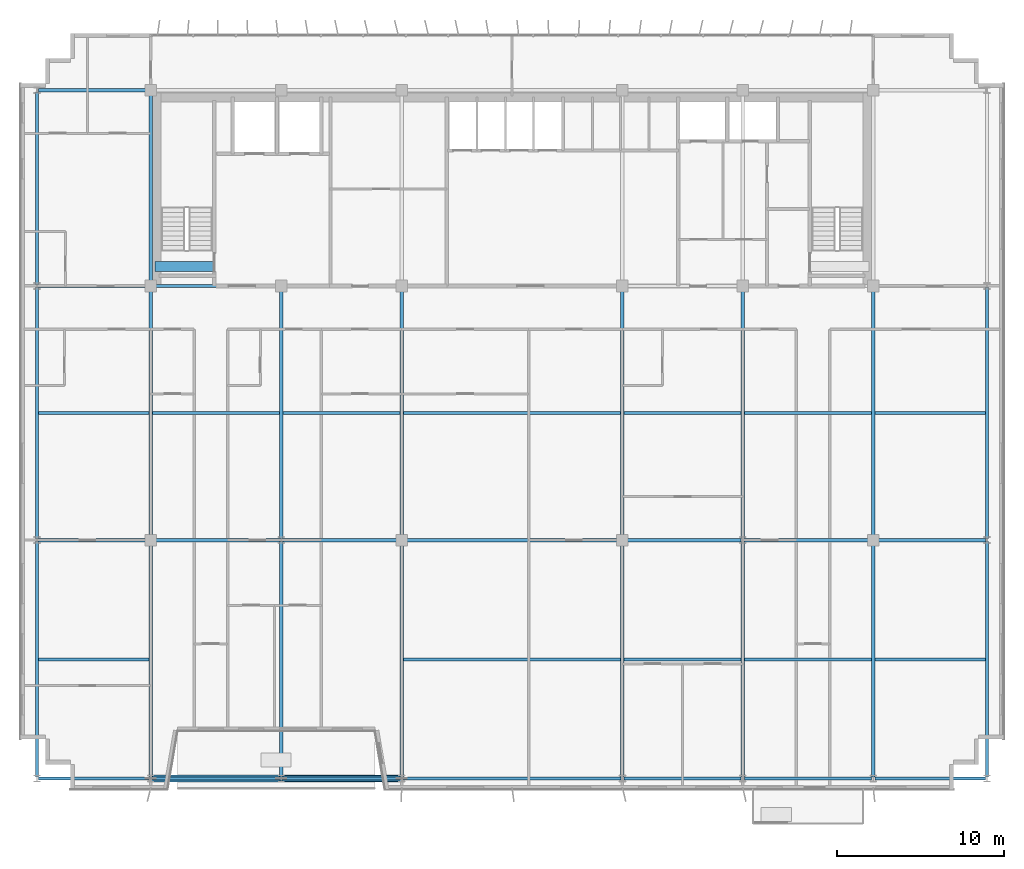
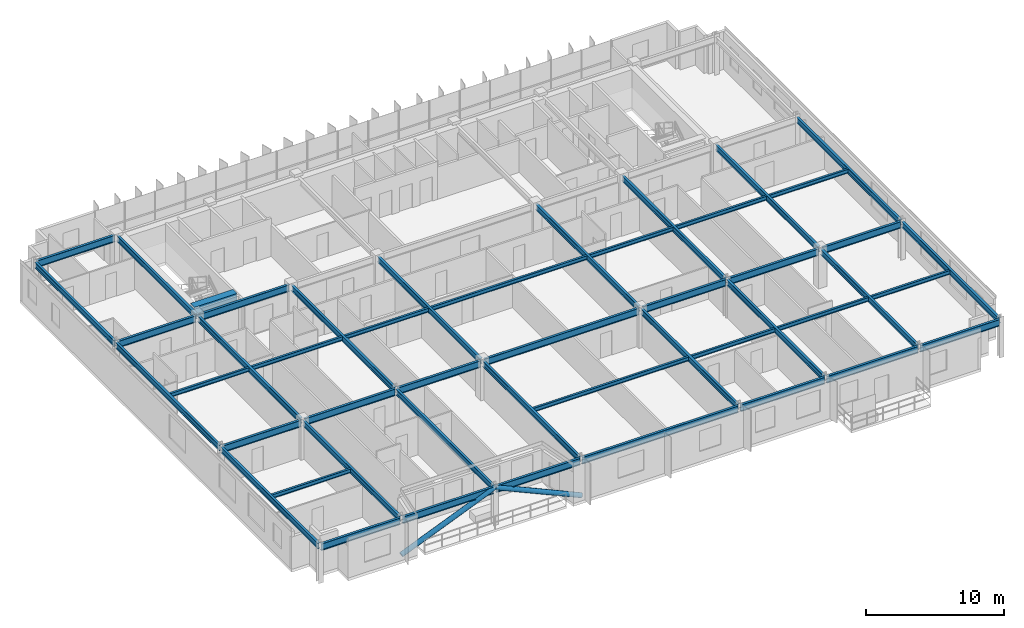
# One storey, part 3 of 20: 48 beams, 2 members.
"""IFC4 building model written with IfcOpenShell, lengths in metres."""

from ifc_helpers import new_model, si_unit, direction, frame, origin, origin_2d, place, context, subcontext, project, spatial, rectangle, hollow_circle, i_section, extrude, source, transform, mapped, material, material_profile, profile_set, type_object, element, save


model = new_model("IFC4")

# Units and contexts
model_context = context("Model", 3, precision=1e-05, world=origin(), true_north=direction((0.0, 1.0)))
body_context = subcontext(model_context, "Body", "Model", "MODEL_VIEW")
ifc_project = project(units=[si_unit("LENGTHUNIT", "METRE"), si_unit("AREAUNIT", "SQUARE_METRE"), si_unit("VOLUMEUNIT", "CUBIC_METRE"), si_unit("PLANEANGLEUNIT", "RADIAN"), si_unit("MASSUNIT", "GRAM", prefix="KILO")], contexts=[model_context])

# Site, building, storey
site_placement = place(None, origin())
site = spatial("IfcSite", under=ifc_project, at=site_placement, CompositionType="ELEMENT")
building_placement = place(site_placement, origin())
building = spatial("IfcBuilding", under=site, at=building_placement, Name="Trelvane Seafront Commons", CompositionType="ELEMENT")
storey_placement = place(building_placement, frame((0.0, 0.0, 171.699951171875)))
storey = spatial("IfcBuildingStorey", under=building, at=storey_placement, Name="L45", CompositionType="ELEMENT", Elevation=171.699951171875)

# Beams
ifc_material_1 = material(Name="Concrete C60/75", Category="concrete")
ifc_material_profile_1 = material_profile(ifc_material_1, rectangle(XDim=0.60009765625, YDim=0.89990234375, at=origin_2d()), Name="RC-600x900")
ifc_profile_set_1 = profile_set([ifc_material_profile_1], Name="Concrete C60/75")
beam_type_1 = type_object("IfcBeamType", Name="STR-LNT-RC600x900", PredefinedType="LINTEL", material=ifc_profile_set_1)
shared_shape_1 = source(origin(), body_context, "Body", "SweptSolid", [
    extrude(rectangle(XDim=0.60009765625, YDim=0.89990234375, at=origin_2d()), origin(), (0.0, 0.0, 1.0), 3.5498046875),
])
beam_1_placement = place(storey_placement, frame((15.85009765625, 34.550048828125, 2.900146484375), z_axis=(1.0, 0.0, 0.0), x_axis=(0.0, 1.0, 0.0)))
element("IfcBeam", 1, at=beam_1_placement, inside=storey, type_object=beam_type_1, Name="L45 Core Coupling Lintel Beam CB-65", PredefinedType="LINTEL", context=body_context, shape_type="MappedRepresentation", body=[
    mapped(shared_shape_1, transform((0.0, 0.0, 0.0), x_axis=(1.0, 0.0, 0.0), y_axis=(0.0, 1.0, 0.0), z_axis=(0.0, 0.0, 1.0), scale=1.0)),
])
ifc_material_2 = material(Name="Steel SM355 (S355)", Category="steel")
ifc_material_profile_2 = material_profile(ifc_material_2, i_section(OverallWidth=0.199951171875, OverallDepth=0.5, WebThickness=0.010009765625, FlangeThickness=0.01611328125, at=origin_2d()), Name="H-500x200x10x16")
ifc_profile_set_2 = profile_set([ifc_material_profile_2], Name="Steel SM355 (S355)")
beam_type_2 = type_object("IfcBeamType", Name="STR-BM-H500", PredefinedType="BEAM", material=ifc_profile_set_2)
shared_shape_2 = source(origin(), body_context, "Body", "SweptSolid", [
    extrude(i_section(OverallWidth=0.199951171875, OverallDepth=0.5, WebThickness=0.010009765625, FlangeThickness=0.01611328125, at=origin_2d()), origin(), (0.0, 0.0, 1.0), 14.89990234375),
])
for number, where, z_axis, x_axis, name in (
    (2, (15.60009765625, 18.35009765625, 3.10009765625), (0.0, 1.0, 0.0), (-1.0, 0.0, 0.0), "L45 Primary Girder G-33"),
    (3, (30.60009765625, 18.35009765625, 3.10009765625), (0.0, 1.0, 0.0), (-1.0, 0.0, 0.0), "L45 Primary Girder G-39"),
    (4, (43.800048828125, 18.35009765625, 3.10009765625), (0.0, 1.0, 0.0), (-1.0, 0.0, 0.0), "L45 Primary Girder G-42"),
    (5, (58.800048828125, 18.35009765625, 3.10009765625), (0.0, 1.0, 0.0), (-1.0, 0.0, 0.0), "L45 Primary Girder G-48"),
):
    element("IfcBeam", number, at=place(storey_placement, frame(where, z_axis=z_axis, x_axis=x_axis)), inside=storey, type_object=beam_type_2, Name=name, PredefinedType="BEAM", context=body_context, shape_type="MappedRepresentation", body=[
        mapped(shared_shape_2, transform((0.0, 0.0, 0.0), x_axis=(1.0, 0.0, 0.0), y_axis=(0.0, 1.0, 0.0), z_axis=(0.0, 0.0, 1.0), scale=1.0)),
    ])
shared_shape_3 = source(origin(), body_context, "Body", "SweptSolid", [
    extrude(i_section(OverallWidth=0.199951171875, OverallDepth=0.5, WebThickness=0.010009765625, FlangeThickness=0.01611328125, at=origin_2d()), origin(), (0.0, 0.0, 1.0), 11.39990234375),
])
beam_2_placement = place(storey_placement, frame((15.60009765625, 33.550048828125, 3.10009765625), z_axis=(0.0, 1.0, 0.0), x_axis=(-1.0, 0.0, 0.0)))
element("IfcBeam", 6, at=beam_2_placement, inside=storey, type_object=beam_type_2, Name="L45 Primary Girder G-34", PredefinedType="BEAM", context=body_context, shape_type="MappedRepresentation", body=[
    mapped(shared_shape_3, transform((0.0, 0.0, 0.0), x_axis=(1.0, 0.0, 0.0), y_axis=(0.0, 1.0, 0.0), z_axis=(0.0, 0.0, 1.0), scale=1.0)),
])
ifc_material_profile_3 = material_profile(ifc_material_2, i_section(OverallWidth=0.175048828125, OverallDepth=0.35009765625, WebThickness=0.007080078125, FlangeThickness=0.010986328125, at=origin_2d()), Name="H-350x175x7x11")
ifc_profile_set_3 = profile_set([ifc_material_profile_3], Name="Steel SM355 (S355)")
beam_type_3 = type_object("IfcBeamType", Name="STR-JST-H350", PredefinedType="JOIST", material=ifc_profile_set_3)
shared_shape_4 = source(origin(), body_context, "Body", "SweptSolid", [
    extrude(i_section(OverallWidth=0.175048828125, OverallDepth=0.35009765625, WebThickness=0.007080078125, FlangeThickness=0.010986328125, at=origin_2d()), origin(), (0.0, 0.0, 1.0), 6.60009765625),
])
for number, where, z_axis, x_axis, name in (
    (7, (8.89990234375, 11.074951171875, 3.175048828125), (1.0, 0.0, 0.0), (0.0, 1.0, 0.0), "L45 Secondary Floor Joist B-53"),
    (8, (58.89990234375, 11.074951171875, 3.175048828125), (1.0, 0.0, 0.0), (0.0, 1.0, 0.0), "L45 Secondary Floor Joist B-57"),
    (9, (8.89990234375, 25.800048828125, 3.175048828125), (1.0, 0.0, 0.0), (0.0, 1.0, 0.0), "L45 Secondary Floor Joist B-58"),
    (10, (58.89990234375, 25.800048828125, 3.175048828125), (1.0, 0.0, 0.0), (0.0, 1.0, 0.0), "L45 Secondary Floor Joist B-64"),
):
    element("IfcBeam", number, at=place(storey_placement, frame(where, z_axis=z_axis, x_axis=x_axis)), inside=storey, type_object=beam_type_3, Name=name, PredefinedType="JOIST", context=body_context, shape_type="MappedRepresentation", body=[
        mapped(shared_shape_4, transform((0.0, 0.0, 0.0), x_axis=(1.0, 0.0, 0.0), y_axis=(0.0, 1.0, 0.0), z_axis=(0.0, 0.0, 1.0), scale=1.0)),
    ])
shared_shape_5 = source(origin(), body_context, "Body", "SweptSolid", [
    extrude(i_section(OverallWidth=0.175048828125, OverallDepth=0.35009765625, WebThickness=0.007080078125, FlangeThickness=0.010986328125, at=origin_2d()), origin(), (0.0, 0.0, 1.0), 7.60009765625),
])
beam_3_placement = place(storey_placement, frame((15.699951171875, 25.800048828125, 3.175048828125), z_axis=(1.0, 0.0, 0.0), x_axis=(0.0, 1.0, 0.0)))
element("IfcBeam", 11, at=beam_3_placement, inside=storey, type_object=beam_type_3, Name="L45 Secondary Floor Joist B-59", PredefinedType="JOIST", context=body_context, shape_type="MappedRepresentation", body=[
    mapped(shared_shape_5, transform((0.0, 0.0, 0.0), x_axis=(1.0, 0.0, 0.0), y_axis=(0.0, 1.0, 0.0), z_axis=(0.0, 0.0, 1.0), scale=1.0)),
])
shared_shape_6 = source(origin(), body_context, "Body", "SweptSolid", [
    extrude(i_section(OverallWidth=0.175048828125, OverallDepth=0.35009765625, WebThickness=0.007080078125, FlangeThickness=0.010986328125, at=origin_2d()), origin(), (0.0, 0.0, 1.0), 7.0),
])
for number, where, z_axis, x_axis, name in (
    (12, (43.89990234375, 11.074951171875, 3.175048828125), (1.0, 0.0, 0.0), (0.0, 1.0, 0.0), "L45 Secondary Floor Joist B-55"),
    (13, (23.5, 25.800048828125, 3.175048828125), (1.0, 0.0, 0.0), (0.0, 1.0, 0.0), "L45 Secondary Floor Joist B-60"),
    (14, (43.89990234375, 25.800048828125, 3.175048828125), (1.0, 0.0, 0.0), (0.0, 1.0, 0.0), "L45 Secondary Floor Joist B-62"),
):
    element("IfcBeam", number, at=place(storey_placement, frame(where, z_axis=z_axis, x_axis=x_axis)), inside=storey, type_object=beam_type_3, Name=name, PredefinedType="JOIST", context=body_context, shape_type="MappedRepresentation", body=[
        mapped(shared_shape_6, transform((0.0, 0.0, 0.0), x_axis=(1.0, 0.0, 0.0), y_axis=(0.0, 1.0, 0.0), z_axis=(0.0, 0.0, 1.0), scale=1.0)),
    ])
shared_shape_7 = source(origin(), body_context, "Body", "SweptSolid", [
    extrude(i_section(OverallWidth=0.175048828125, OverallDepth=0.35009765625, WebThickness=0.007080078125, FlangeThickness=0.010986328125, at=origin_2d()), origin(), (0.0, 0.0, 1.0), 13.0),
])
for number, where, z_axis, x_axis, name in (
    (15, (30.699951171875, 11.074951171875, 3.175048828125), (1.0, 0.0, 0.0), (0.0, 1.0, 0.0), "L45 Secondary Floor Joist B-54"),
    (16, (30.699951171875, 25.800048828125, 3.175048828125), (1.0, 0.0, 0.0), (0.0, 1.0, 0.0), "L45 Secondary Floor Joist B-61"),
):
    element("IfcBeam", number, at=place(storey_placement, frame(where, z_axis=z_axis, x_axis=x_axis)), inside=storey, type_object=beam_type_3, Name=name, PredefinedType="JOIST", context=body_context, shape_type="MappedRepresentation", body=[
        mapped(shared_shape_7, transform((0.0, 0.0, 0.0), x_axis=(1.0, 0.0, 0.0), y_axis=(0.0, 1.0, 0.0), z_axis=(0.0, 0.0, 1.0), scale=1.0)),
    ])
shared_shape_8 = source(origin(), body_context, "Body", "SweptSolid", [
    extrude(i_section(OverallWidth=0.175048828125, OverallDepth=0.35009765625, WebThickness=0.007080078125, FlangeThickness=0.010986328125, at=origin_2d()), origin(), (0.0, 0.0, 1.0), 7.599853515625),
])
for number, where, z_axis, x_axis, name in (
    (17, (51.10009765625, 11.074951171875, 3.175048828125), (1.0, 0.0, 0.0), (0.0, 1.0, 0.0), "L45 Secondary Floor Joist B-56"),
    (18, (51.10009765625, 25.800048828125, 3.175048828125), (1.0, 0.0, 0.0), (0.0, 1.0, 0.0), "L45 Secondary Floor Joist B-63"),
):
    element("IfcBeam", number, at=place(storey_placement, frame(where, z_axis=z_axis, x_axis=x_axis)), inside=storey, type_object=beam_type_3, Name=name, PredefinedType="JOIST", context=body_context, shape_type="MappedRepresentation", body=[
        mapped(shared_shape_8, transform((0.0, 0.0, 0.0), x_axis=(1.0, 0.0, 0.0), y_axis=(0.0, 1.0, 0.0), z_axis=(0.0, 0.0, 1.0), scale=1.0)),
    ])
ifc_material_profile_4 = material_profile(ifc_material_2, i_section(OverallWidth=0.199951171875, OverallDepth=0.60009765625, WebThickness=0.010986328125, FlangeThickness=0.01708984375, at=origin_2d()), Name="H-600x200x11x17")
ifc_profile_set_4 = profile_set([ifc_material_profile_4], Name="Steel SM355 (S355)")
beam_type_4 = type_object("IfcBeamType", Name="STR-SPD-H600", PredefinedType="SPANDREL", material=ifc_profile_set_4)
shared_shape_9 = source(origin(), body_context, "Body", "SweptSolid", [
    extrude(i_section(OverallWidth=0.199951171875, OverallDepth=0.60009765625, WebThickness=0.010986328125, FlangeThickness=0.01708984375, at=origin_2d()), origin(), (0.0, 0.0, 1.0), 6.60986328125),
])
for number, where, z_axis, x_axis, name in (
    (19, (8.89501953125, 3.949951171875, 3.050048828125), (1.0, 0.0, 0.0), (0.0, 1.0, 0.0), "L45 Primary Girder G-01"),
    (20, (58.89501953125, 3.949951171875, 3.050048828125), (1.0, 0.0, 0.0), (0.0, 1.0, 0.0), "L45 Primary Girder G-07"),
):
    element("IfcBeam", number, at=place(storey_placement, frame(where, z_axis=z_axis, x_axis=x_axis)), inside=storey, type_object=beam_type_4, Name=name, PredefinedType="SPANDREL", context=body_context, shape_type="MappedRepresentation", body=[
        mapped(shared_shape_9, transform((0.0, 0.0, 0.0), x_axis=(1.0, 0.0, 0.0), y_axis=(0.0, 1.0, 0.0), z_axis=(0.0, 0.0, 1.0), scale=1.0)),
    ])
shared_shape_10 = source(origin(), body_context, "Body", "SweptSolid", [
    extrude(i_section(OverallWidth=0.199951171875, OverallDepth=0.60009765625, WebThickness=0.010986328125, FlangeThickness=0.01708984375, at=origin_2d()), origin(), (0.0, 0.0, 1.0), 7.60986328125),
])
beam_4_placement = place(storey_placement, frame((15.695068359375, 3.949951171875, 3.050048828125), z_axis=(1.0, 0.0, 0.0), x_axis=(0.0, 1.0, 0.0)))
element("IfcBeam", 21, at=beam_4_placement, inside=storey, type_object=beam_type_4, Name="L45 Primary Girder G-02", PredefinedType="SPANDREL", context=body_context, shape_type="MappedRepresentation", body=[
    mapped(shared_shape_10, transform((0.0, 0.0, 0.0), x_axis=(1.0, 0.0, 0.0), y_axis=(0.0, 1.0, 0.0), z_axis=(0.0, 0.0, 1.0), scale=1.0)),
])
shared_shape_11 = source(origin(), body_context, "Body", "SweptSolid", [
    extrude(i_section(OverallWidth=0.199951171875, OverallDepth=0.60009765625, WebThickness=0.010986328125, FlangeThickness=0.01708984375, at=origin_2d()), origin(), (0.0, 0.0, 1.0), 7.009765625),
])
beam_5_placement = place(storey_placement, frame((23.4951171875, 3.949951171875, 3.050048828125), z_axis=(1.0, 0.0, 0.0), x_axis=(0.0, 1.0, 0.0)))
element("IfcBeam", 22, at=beam_5_placement, inside=storey, type_object=beam_type_4, Name="L45 Primary Girder G-03", PredefinedType="SPANDREL", context=body_context, shape_type="MappedRepresentation", body=[
    mapped(shared_shape_11, transform((0.0, 0.0, 0.0), x_axis=(1.0, 0.0, 0.0), y_axis=(0.0, 1.0, 0.0), z_axis=(0.0, 0.0, 1.0), scale=1.0)),
])
shared_shape_12 = source(origin(), body_context, "Body", "SweptSolid", [
    extrude(i_section(OverallWidth=0.199951171875, OverallDepth=0.60009765625, WebThickness=0.010986328125, FlangeThickness=0.01708984375, at=origin_2d()), origin(), (0.0, 0.0, 1.0), 13.010009765625),
])
beam_6_placement = place(storey_placement, frame((30.695068359375, 3.949951171875, 3.050048828125), z_axis=(1.0, 0.0, 0.0), x_axis=(0.0, 1.0, 0.0)))
element("IfcBeam", 23, at=beam_6_placement, inside=storey, type_object=beam_type_4, Name="L45 Primary Girder G-04", PredefinedType="SPANDREL", context=body_context, shape_type="MappedRepresentation", body=[
    mapped(shared_shape_12, transform((0.0, 0.0, 0.0), x_axis=(1.0, 0.0, 0.0), y_axis=(0.0, 1.0, 0.0), z_axis=(0.0, 0.0, 1.0), scale=1.0)),
])
shared_shape_13 = source(origin(), body_context, "Body", "SweptSolid", [
    extrude(i_section(OverallWidth=0.199951171875, OverallDepth=0.60009765625, WebThickness=0.010986328125, FlangeThickness=0.01708984375, at=origin_2d()), origin(), (0.0, 0.0, 1.0), 7.010009765625),
])
beam_7_placement = place(storey_placement, frame((43.89501953125, 3.949951171875, 3.050048828125), z_axis=(1.0, 0.0, 0.0), x_axis=(0.0, 1.0, 0.0)))
element("IfcBeam", 24, at=beam_7_placement, inside=storey, type_object=beam_type_4, Name="L45 Primary Girder G-05", PredefinedType="SPANDREL", context=body_context, shape_type="MappedRepresentation", body=[
    mapped(shared_shape_13, transform((0.0, 0.0, 0.0), x_axis=(1.0, 0.0, 0.0), y_axis=(0.0, 1.0, 0.0), z_axis=(0.0, 0.0, 1.0), scale=1.0)),
])
shared_shape_14 = source(origin(), body_context, "Body", "SweptSolid", [
    extrude(i_section(OverallWidth=0.199951171875, OverallDepth=0.60009765625, WebThickness=0.010986328125, FlangeThickness=0.01708984375, at=origin_2d()), origin(), (0.0, 0.0, 1.0), 7.610107421875),
])
beam_8_placement = place(storey_placement, frame((51.094970703125, 3.949951171875, 3.050048828125), z_axis=(1.0, 0.0, 0.0), x_axis=(0.0, 1.0, 0.0)))
element("IfcBeam", 25, at=beam_8_placement, inside=storey, type_object=beam_type_4, Name="L45 Primary Girder G-06", PredefinedType="SPANDREL", context=body_context, shape_type="MappedRepresentation", body=[
    mapped(shared_shape_14, transform((0.0, 0.0, 0.0), x_axis=(1.0, 0.0, 0.0), y_axis=(0.0, 1.0, 0.0), z_axis=(0.0, 0.0, 1.0), scale=1.0)),
])
shared_shape_15 = source(origin(), body_context, "Body", "SweptSolid", [
    extrude(i_section(OverallWidth=0.199951171875, OverallDepth=0.60009765625, WebThickness=0.010986328125, FlangeThickness=0.01708984375, at=origin_2d()), origin(), (0.0, 0.0, 1.0), 6.554931640625),
])
for number, where, z_axis, x_axis, name in (
    (26, (8.89501953125, 18.199951171875, 3.050048828125), (1.0, 0.0, 0.0), (0.0, 1.0, 0.0), "L45 Primary Girder G-08"),
    (27, (58.949951171875, 18.199951171875, 3.050048828125), (1.0, 0.0, 0.0), (0.0, 1.0, 0.0), "L45 Primary Girder G-14"),
    (28, (8.89501953125, 33.39990234375, 3.050048828125), (1.0, 0.0, 0.0), (0.0, 1.0, 0.0), "L45 Primary Girder G-15"),
    (29, (8.89501953125, 45.10009765625, 3.050048828125), (1.0, 0.0, 0.0), (0.0, 1.0, 0.0), "L45 Primary Girder G-22"),
):
    element("IfcBeam", number, at=place(storey_placement, frame(where, z_axis=z_axis, x_axis=x_axis)), inside=storey, type_object=beam_type_4, Name=name, PredefinedType="SPANDREL", context=body_context, shape_type="MappedRepresentation", body=[
        mapped(shared_shape_15, transform((0.0, 0.0, 0.0), x_axis=(1.0, 0.0, 0.0), y_axis=(0.0, 1.0, 0.0), z_axis=(0.0, 0.0, 1.0), scale=1.0)),
    ])
shared_shape_16 = source(origin(), body_context, "Body", "SweptSolid", [
    extrude(i_section(OverallWidth=0.199951171875, OverallDepth=0.60009765625, WebThickness=0.010986328125, FlangeThickness=0.01708984375, at=origin_2d()), origin(), (0.0, 0.0, 1.0), 7.554931640625),
])
for number, where, z_axis, x_axis, name in (
    (30, (15.75, 18.199951171875, 3.050048828125), (1.0, 0.0, 0.0), (0.0, 1.0, 0.0), "L45 Primary Girder G-09"),
    (31, (51.094970703125, 18.199951171875, 3.050048828125), (1.0, 0.0, 0.0), (0.0, 1.0, 0.0), "L45 Primary Girder G-13"),
):
    element("IfcBeam", number, at=place(storey_placement, frame(where, z_axis=z_axis, x_axis=x_axis)), inside=storey, type_object=beam_type_4, Name=name, PredefinedType="SPANDREL", context=body_context, shape_type="MappedRepresentation", body=[
        mapped(shared_shape_16, transform((0.0, 0.0, 0.0), x_axis=(1.0, 0.0, 0.0), y_axis=(0.0, 1.0, 0.0), z_axis=(0.0, 0.0, 1.0), scale=1.0)),
    ])
shared_shape_17 = source(origin(), body_context, "Body", "SweptSolid", [
    extrude(i_section(OverallWidth=0.199951171875, OverallDepth=0.60009765625, WebThickness=0.010986328125, FlangeThickness=0.01708984375, at=origin_2d()), origin(), (0.0, 0.0, 1.0), 6.954833984375),
])
beam_9_placement = place(storey_placement, frame((23.4951171875, 18.199951171875, 3.050048828125), z_axis=(1.0, 0.0, 0.0), x_axis=(0.0, 1.0, 0.0)))
element("IfcBeam", 32, at=beam_9_placement, inside=storey, type_object=beam_type_4, Name="L45 Primary Girder G-10", PredefinedType="SPANDREL", context=body_context, shape_type="MappedRepresentation", body=[
    mapped(shared_shape_17, transform((0.0, 0.0, 0.0), x_axis=(1.0, 0.0, 0.0), y_axis=(0.0, 1.0, 0.0), z_axis=(0.0, 0.0, 1.0), scale=1.0)),
])
shared_shape_18 = source(origin(), body_context, "Body", "SweptSolid", [
    extrude(i_section(OverallWidth=0.199951171875, OverallDepth=0.60009765625, WebThickness=0.010986328125, FlangeThickness=0.01708984375, at=origin_2d()), origin(), (0.0, 0.0, 1.0), 12.89990234375),
])
beam_10_placement = place(storey_placement, frame((30.75, 18.199951171875, 3.050048828125), z_axis=(1.0, 0.0, 0.0), x_axis=(0.0, 1.0, 0.0)))
element("IfcBeam", 33, at=beam_10_placement, inside=storey, type_object=beam_type_4, Name="L45 Primary Girder G-11", PredefinedType="SPANDREL", context=body_context, shape_type="MappedRepresentation", body=[
    mapped(shared_shape_18, transform((0.0, 0.0, 0.0), x_axis=(1.0, 0.0, 0.0), y_axis=(0.0, 1.0, 0.0), z_axis=(0.0, 0.0, 1.0), scale=1.0)),
])
shared_shape_19 = source(origin(), body_context, "Body", "SweptSolid", [
    extrude(i_section(OverallWidth=0.199951171875, OverallDepth=0.60009765625, WebThickness=0.010986328125, FlangeThickness=0.01708984375, at=origin_2d()), origin(), (0.0, 0.0, 1.0), 6.955078125),
])
beam_11_placement = place(storey_placement, frame((43.949951171875, 18.199951171875, 3.050048828125), z_axis=(1.0, 0.0, 0.0), x_axis=(0.0, 1.0, 0.0)))
element("IfcBeam", 34, at=beam_11_placement, inside=storey, type_object=beam_type_4, Name="L45 Primary Girder G-12", PredefinedType="SPANDREL", context=body_context, shape_type="MappedRepresentation", body=[
    mapped(shared_shape_19, transform((0.0, 0.0, 0.0), x_axis=(1.0, 0.0, 0.0), y_axis=(0.0, 1.0, 0.0), z_axis=(0.0, 0.0, 1.0), scale=1.0)),
])
shared_shape_20 = source(origin(), body_context, "Body", "SweptSolid", [
    extrude(i_section(OverallWidth=0.199951171875, OverallDepth=0.60009765625, WebThickness=0.010986328125, FlangeThickness=0.01708984375, at=origin_2d()), origin(), (0.0, 0.0, 1.0), 7.5),
])
beam_12_placement = place(storey_placement, frame((15.75, 33.39990234375, 3.050048828125), z_axis=(1.0, 0.0, 0.0), x_axis=(0.0, 1.0, 0.0)))
element("IfcBeam", 35, at=beam_12_placement, inside=storey, type_object=beam_type_4, Name="L45 Primary Girder G-16", PredefinedType="SPANDREL", context=body_context, shape_type="MappedRepresentation", body=[
    mapped(shared_shape_20, transform((0.0, 0.0, 0.0), x_axis=(1.0, 0.0, 0.0), y_axis=(0.0, 1.0, 0.0), z_axis=(0.0, 0.0, 1.0), scale=1.0)),
])
shared_shape_21 = source(origin(), body_context, "Body", "SweptSolid", [
    extrude(i_section(OverallWidth=0.199951171875, OverallDepth=0.5, WebThickness=0.010009765625, FlangeThickness=0.01611328125, at=origin_2d()), origin(), (0.0, 0.0, 1.0), 14.06005859375),
])
for number, where, z_axis, x_axis, name in (
    (36, (8.800048828125, 4.044921875, 3.10009765625), (0.0, 1.0, 0.0), (-1.0, 0.0, 0.0), "L45 Primary Girder G-29"),
    (37, (23.39990234375, 4.044921875, 3.10009765625), (0.0, 1.0, 0.0), (-1.0, 0.0, 0.0), "L45 Primary Girder G-35"),
    (38, (51.0, 4.044921875, 3.10009765625), (0.0, 1.0, 0.0), (-1.0, 0.0, 0.0), "L45 Primary Girder G-44"),
    (39, (65.60009765625, 4.044921875, 3.10009765625), (0.0, 1.0, 0.0), (-1.0, 0.0, 0.0), "L45 Primary Girder G-50"),
):
    element("IfcBeam", number, at=place(storey_placement, frame(where, z_axis=z_axis, x_axis=x_axis)), inside=storey, type_object=beam_type_2, Name=name, PredefinedType="BEAM", context=body_context, shape_type="MappedRepresentation", body=[
        mapped(shared_shape_21, transform((0.0, 0.0, 0.0), x_axis=(1.0, 0.0, 0.0), y_axis=(0.0, 1.0, 0.0), z_axis=(0.0, 0.0, 1.0), scale=1.0)),
    ])
shared_shape_22 = source(origin(), body_context, "Body", "SweptSolid", [
    extrude(i_section(OverallWidth=0.199951171875, OverallDepth=0.5, WebThickness=0.010009765625, FlangeThickness=0.01611328125, at=origin_2d()), origin(), (0.0, 0.0, 1.0), 15.010009765625),
])
for number, where, z_axis, x_axis, name in (
    (40, (8.800048828125, 18.294921875, 3.10009765625), (0.0, 1.0, 0.0), (-1.0, 0.0, 0.0), "L45 Primary Girder G-30"),
    (41, (65.60009765625, 18.294921875, 3.10009765625), (0.0, 1.0, 0.0), (-1.0, 0.0, 0.0), "L45 Primary Girder G-51"),
):
    element("IfcBeam", number, at=place(storey_placement, frame(where, z_axis=z_axis, x_axis=x_axis)), inside=storey, type_object=beam_type_2, Name=name, PredefinedType="BEAM", context=body_context, shape_type="MappedRepresentation", body=[
        mapped(shared_shape_22, transform((0.0, 0.0, 0.0), x_axis=(1.0, 0.0, 0.0), y_axis=(0.0, 1.0, 0.0), z_axis=(0.0, 0.0, 1.0), scale=1.0)),
    ])
shared_shape_23 = source(origin(), body_context, "Body", "SweptSolid", [
    extrude(i_section(OverallWidth=0.199951171875, OverallDepth=0.5, WebThickness=0.010009765625, FlangeThickness=0.01611328125, at=origin_2d()), origin(), (0.0, 0.0, 1.0), 11.509765625),
])
beam_13_placement = place(storey_placement, frame((8.800048828125, 33.4951171875, 3.10009765625), z_axis=(0.0, 1.0, 0.0), x_axis=(-1.0, 0.0, 0.0)))
element("IfcBeam", 42, at=beam_13_placement, inside=storey, type_object=beam_type_2, Name="L45 Primary Girder G-31", PredefinedType="BEAM", context=body_context, shape_type="MappedRepresentation", body=[
    mapped(shared_shape_23, transform((0.0, 0.0, 0.0), x_axis=(1.0, 0.0, 0.0), y_axis=(0.0, 1.0, 0.0), z_axis=(0.0, 0.0, 1.0), scale=1.0)),
])
shared_shape_24 = source(origin(), body_context, "Body", "SweptSolid", [
    extrude(i_section(OverallWidth=0.199951171875, OverallDepth=0.5, WebThickness=0.010009765625, FlangeThickness=0.01611328125, at=origin_2d()), origin(), (0.0, 0.0, 1.0), 14.005126953125),
])
for number, where, z_axis, x_axis, name in (
    (43, (15.60009765625, 4.044921875, 3.10009765625), (0.0, 1.0, 0.0), (-1.0, 0.0, 0.0), "L45 Primary Girder G-32"),
    (44, (30.60009765625, 4.044921875, 3.10009765625), (0.0, 1.0, 0.0), (-1.0, 0.0, 0.0), "L45 Primary Girder G-38"),
    (45, (43.800048828125, 4.044921875, 3.10009765625), (0.0, 1.0, 0.0), (-1.0, 0.0, 0.0), "L45 Primary Girder G-41"),
    (46, (58.800048828125, 4.044921875, 3.10009765625), (0.0, 1.0, 0.0), (-1.0, 0.0, 0.0), "L45 Primary Girder G-47"),
):
    element("IfcBeam", number, at=place(storey_placement, frame(where, z_axis=z_axis, x_axis=x_axis)), inside=storey, type_object=beam_type_2, Name=name, PredefinedType="BEAM", context=body_context, shape_type="MappedRepresentation", body=[
        mapped(shared_shape_24, transform((0.0, 0.0, 0.0), x_axis=(1.0, 0.0, 0.0), y_axis=(0.0, 1.0, 0.0), z_axis=(0.0, 0.0, 1.0), scale=1.0)),
    ])
shared_shape_25 = source(origin(), body_context, "Body", "SweptSolid", [
    extrude(i_section(OverallWidth=0.199951171875, OverallDepth=0.5, WebThickness=0.010009765625, FlangeThickness=0.01611328125, at=origin_2d()), origin(), (0.0, 0.0, 1.0), 14.955078125),
])
for number, where, z_axis, x_axis, name in (
    (47, (23.39990234375, 18.294921875, 3.10009765625), (0.0, 1.0, 0.0), (-1.0, 0.0, 0.0), "L45 Primary Girder G-36"),
    (48, (51.0, 18.294921875, 3.10009765625), (0.0, 1.0, 0.0), (-1.0, 0.0, 0.0), "L45 Primary Girder G-45"),
):
    element("IfcBeam", number, at=place(storey_placement, frame(where, z_axis=z_axis, x_axis=x_axis)), inside=storey, type_object=beam_type_2, Name=name, PredefinedType="BEAM", context=body_context, shape_type="MappedRepresentation", body=[
        mapped(shared_shape_25, transform((0.0, 0.0, 0.0), x_axis=(1.0, 0.0, 0.0), y_axis=(0.0, 1.0, 0.0), z_axis=(0.0, 0.0, 1.0), scale=1.0)),
    ])

# Members
ifc_material_profile_5 = material_profile(ifc_material_2, hollow_circle(Radius=0.203125, WallThickness=0.01611328125, at=origin_2d()), Name="CHS-406.4x16")
ifc_profile_set_5 = profile_set([ifc_material_profile_5], Name="Steel SM355 (S355)")
member_type = type_object("IfcMemberType", Name="STR-STR-CHS406", PredefinedType="STRUT", material=ifc_profile_set_5)
shared_shape_26 = source(origin(), body_context, "Body", "SweptSolid", [
    extrude(hollow_circle(Radius=0.203125, WallThickness=0.01611328125, at=origin_2d()), origin(), (0.0, 0.0, 1.0), 8.442138671875),
])
member_1_placement = place(storey_placement, frame((15.60009765625, 3.949951171875, 0.0), z_axis=(0.923913217575, 0.0, 0.382602099302), x_axis=(0.0, 1.0, 0.0)))
element("IfcMember", 49, at=member_1_placement, inside=storey, type_object=member_type, Name="L45 Sky-Garden V-Chevron Brace SGV-W", PredefinedType="STRUT", context=body_context, shape_type="MappedRepresentation", body=[
    mapped(shared_shape_26, transform((0.0, 0.0, 0.0), x_axis=(1.0, 0.0, 0.0), y_axis=(0.0, 1.0, 0.0), z_axis=(0.0, 0.0, 1.0), scale=1.0)),
])
shared_shape_27 = source(origin(), body_context, "Body", "SweptSolid", [
    extrude(hollow_circle(Radius=0.203125, WallThickness=0.01611328125, at=origin_2d()), origin(), (0.0, 0.0, 1.0), 7.8916015625),
])
member_2_placement = place(storey_placement, frame((30.60009765625, 3.949951171875, 0.0), z_axis=(-0.912400184787, 0.0, 0.409299282678), x_axis=(0.0, -1.0, 0.0)))
element("IfcMember", 50, at=member_2_placement, inside=storey, type_object=member_type, Name="L45 Sky-Garden V-Chevron Brace SGV-E", PredefinedType="STRUT", context=body_context, shape_type="MappedRepresentation", body=[
    mapped(shared_shape_27, transform((0.0, 0.0, 0.0), x_axis=(1.0, 0.0, 0.0), y_axis=(0.0, 1.0, 0.0), z_axis=(0.0, 0.0, 1.0), scale=1.0)),
])

save(model, "model.ifc")
